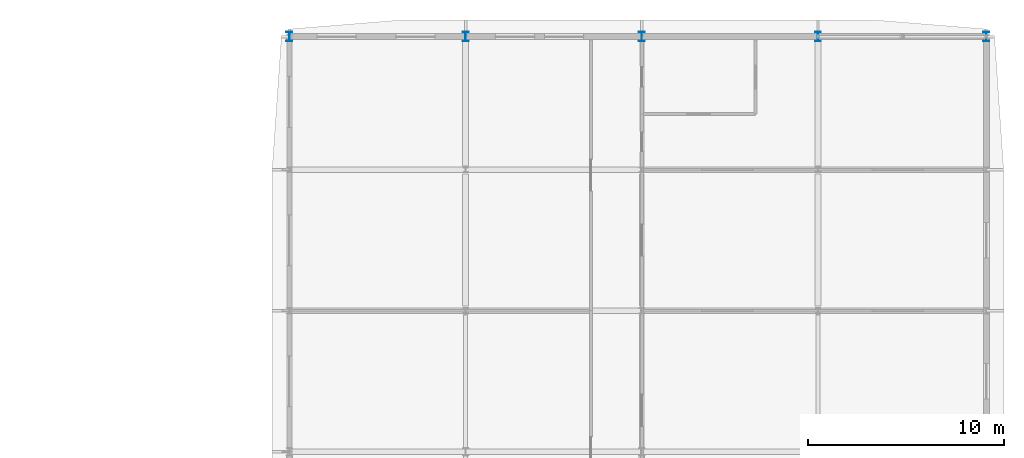
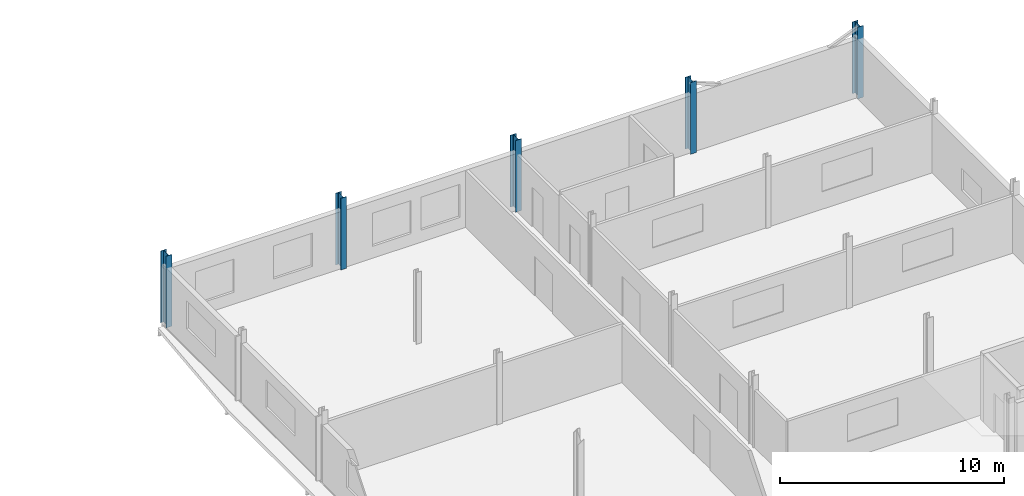
# One storey, part 18 of 78: 5 columns.
"""IFC4 building model written with IfcOpenShell, lengths in metres."""

from ifc_helpers import new_model, si_unit, direction, frame, origin, origin_2d, place, context, subcontext, project, spatial, i_section, extrude, material, material_profile, profile_set, type_object, element, save


model = new_model("IFC4")

# Units and contexts
model_context = context("Model", 3, precision=1e-05, world=origin(), true_north=direction((0.0, 1.0)))
body_context = subcontext(model_context, "Body", "Model", "MODEL_VIEW")
ifc_project = project(units=[si_unit("LENGTHUNIT", "METRE"), si_unit("AREAUNIT", "SQUARE_METRE"), si_unit("VOLUMEUNIT", "CUBIC_METRE"), si_unit("PLANEANGLEUNIT", "RADIAN"), si_unit("MASSUNIT", "GRAM", prefix="KILO")], contexts=[model_context])

# Site, building, storey
site_placement = place(None, origin())
site = spatial("IfcSite", under=ifc_project, at=site_placement, CompositionType="ELEMENT")
building_placement = place(site_placement, origin())
building = spatial("IfcBuilding", under=site, at=building_placement, Name="Vinh Khe Railworks Police Headquarters", CompositionType="ELEMENT")
storey_placement = place(building_placement, frame((0.0, 0.0, 13.199951171875)))
storey = spatial("IfcBuildingStorey", under=building, at=storey_placement, Name="L03", CompositionType="ELEMENT", Elevation=13.199951171875)

# Columns
ifc_material = material(Name="Steel S355JR", Category="steel")
ifc_material_profile = material_profile(ifc_material, i_section(OverallWidth=0.300048828125, OverallDepth=0.489990234375, WebThickness=0.011962890625, FlangeThickness=0.02294921875, FilletRadius=0.027099609375, at=origin_2d()), Name="HEA 500")
ifc_profile_set = profile_set([ifc_material_profile], Name="Steel S355JR")
column_type = type_object("IfcColumnType", Name="Steel Column HEA 500", PredefinedType="COLUMN", material=ifc_profile_set)
for number, where, z_axis, x_axis, name in (
    (1, (78.0, 166.39990234375, 0.0), (0.0, 0.0, 1.0), (1.0, 0.0, 0.0), "Column COL-L03-SC-13-1209"),
    (2, (87.0, 166.39990234375, 0.0), (0.0, 0.0, 1.0), (1.0, 0.0, 0.0), "Column COL-L03-SC-13-1270"),
    (3, (96.0, 166.39990234375, 0.0), (0.0, 0.0, 1.0), (1.0, 0.0, 0.0), "Column COL-L03-SC-13-1331"),
    (4, (105.0, 166.39990234375, 0.0), (0.0, 0.0, 1.0), (1.0, 0.0, 0.0), "Column COL-L03-SC-13-1392"),
    (5, (113.60009765625, 166.39990234375, 0.0), (0.0, 0.0, 1.0), (1.0, 0.0, 0.0), "Column COL-L03-SC-13-1453"),
):
    element("IfcColumn", number, at=place(storey_placement, frame(where, z_axis=z_axis, x_axis=x_axis)), inside=storey, type_object=column_type, Name=name, PredefinedType="COLUMN", context=body_context, shape_type="SweptSolid", body=[
        extrude(i_section(OverallWidth=0.300048828125, OverallDepth=0.489990234375, WebThickness=0.011962890625, FlangeThickness=0.02294921875, FilletRadius=0.027099609375, at=origin_2d()), origin(), (0.0, 0.0, 1.0), 3.900146484375),
    ])

save(model, "model.ifc")
